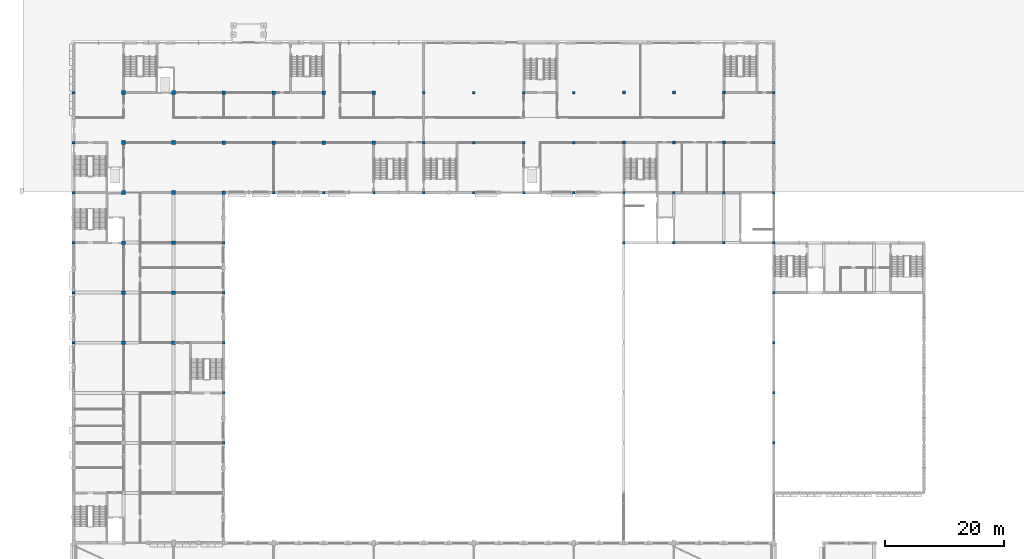
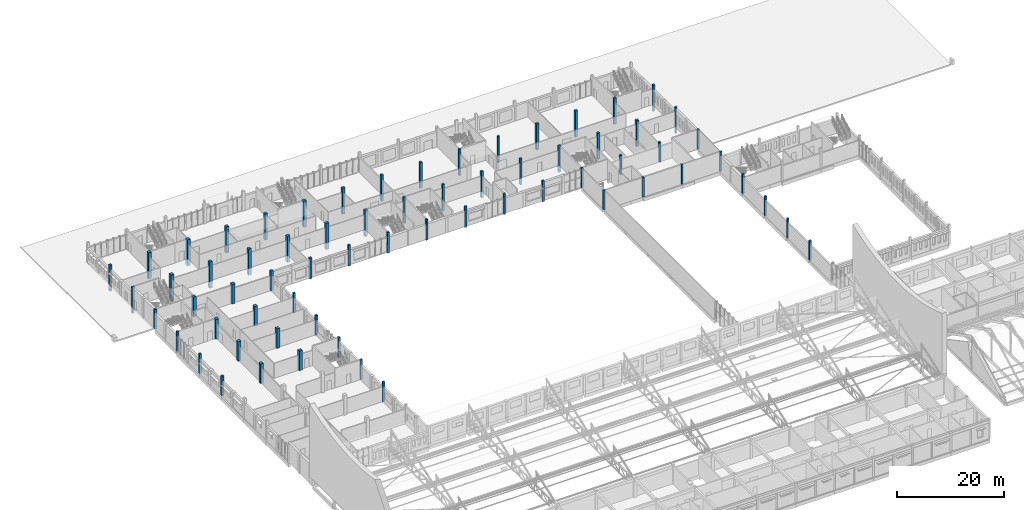
# One storey, part 3 of 101: 67 columns.
"""IFC4 building model written with IfcOpenShell, lengths in metres."""

from ifc_helpers import new_model, si_unit, direction, frame, origin, origin_2d, place, context, subcontext, project, spatial, rectangle, extrude, material, material_profile, profile_set, type_object, element, save


model = new_model("IFC4")

# Units and contexts
model_context = context("Model", 3, precision=1e-05, world=origin(), true_north=direction((0.0, 1.0)))
body_context = subcontext(model_context, "Body", "Model", "MODEL_VIEW")
ifc_project = project(units=[si_unit("LENGTHUNIT", "METRE"), si_unit("AREAUNIT", "SQUARE_METRE"), si_unit("VOLUMEUNIT", "CUBIC_METRE"), si_unit("PLANEANGLEUNIT", "RADIAN"), si_unit("MASSUNIT", "GRAM", prefix="KILO")], contexts=[model_context])

# Site, building, storey
site_placement = place(None, origin())
site = spatial("IfcSite", under=ifc_project, at=site_placement, CompositionType="ELEMENT")
building_placement = place(site_placement, origin())
building = spatial("IfcBuilding", under=site, at=building_placement, Name="Fescue Hill Polytechnic", CompositionType="ELEMENT")
storey_placement = place(building_placement, frame((0.0, 0.0, 9.0)))
storey = spatial("IfcBuildingStorey", under=building, at=storey_placement, Name="L02", CompositionType="ELEMENT", Elevation=9.0)

# Columns
ifc_material = material(Name="Concrete 40 MPa", Category="concrete")
ifc_material_profile_1 = material_profile(ifc_material, rectangle(XDim=0.39990234375, YDim=0.39990234375, at=origin_2d()), Name="RC 400x400")
ifc_profile_set_1 = profile_set([ifc_material_profile_1], Name="Concrete 40 MPa")
column_type_1 = type_object("IfcColumnType", Name="Column RC 400x400", PredefinedType="COLUMN", material=ifc_profile_set_1)
for number, where, z_axis, x_axis, name in (
    (1, (117.60009765625, 92.39990234375, 0.0), (0.0, 0.0, 1.0), (1.0, 0.0, 0.0), "COL-L02-V2-001"),
    (2, (117.60009765625, 100.800048828125, 0.0), (0.0, 0.0, 1.0), (1.0, 0.0, 0.0), "COL-L02-V2-002"),
):
    element("IfcColumn", number, at=place(storey_placement, frame(where, z_axis=z_axis, x_axis=x_axis)), inside=storey, type_object=column_type_1, Name=name, PredefinedType="COLUMN", context=body_context, shape_type="SweptSolid", body=[
        extrude(rectangle(XDim=0.39990234375, YDim=0.39990234375, at=origin_2d()), origin(), (0.0, 0.0, 1.0), 4.5),
    ])
for number, where, z_axis, x_axis, name in (
    (3, (50.39990234375, 109.199951171875, -0.25), (0.0, 0.0, 1.0), (1.0, 0.0, 0.0), "COL-L02-V5-021"),
    (4, (58.800048828125, 109.199951171875, -0.25), (0.0, 0.0, 1.0), (1.0, 0.0, 0.0), "COL-L02-V5-025"),
    (5, (67.199951171875, 109.199951171875, -0.25), (0.0, 0.0, 1.0), (1.0, 0.0, 0.0), "COL-L02-V4b-001"),
    (6, (75.60009765625, 109.199951171875, -0.25), (0.0, 0.0, 1.0), (1.0, 0.0, 0.0), "COL-L02-V4b-005"),
    (7, (84.0, 109.199951171875, -0.25), (0.0, 0.0, 1.0), (1.0, 0.0, 0.0), "COL-L02-V4b-009"),
):
    element("IfcColumn", number, at=place(storey_placement, frame(where, z_axis=z_axis, x_axis=x_axis)), inside=storey, type_object=column_type_1, Name=name, PredefinedType="COLUMN", context=body_context, shape_type="SweptSolid", body=[
        extrude(rectangle(XDim=0.39990234375, YDim=0.39990234375, at=origin_2d()), origin(), (0.0, 0.0, 1.0), 4.75),
    ])
for number, where, z_axis, x_axis, name in (
    (8, (84.0, 117.60009765625, -1.5), (0.0, 0.0, 1.0), (1.0, 0.0, 0.0), "COL-L02-V4b-010"),
    (9, (84.0, 126.0, -1.5), (0.0, 0.0, 1.0), (1.0, 0.0, 0.0), "COL-L02-V4b-011"),
):
    element("IfcColumn", number, at=place(storey_placement, frame(where, z_axis=z_axis, x_axis=x_axis)), inside=storey, type_object=column_type_1, Name=name, PredefinedType="COLUMN", context=body_context, shape_type="SweptSolid", body=[
        extrude(rectangle(XDim=0.39990234375, YDim=0.39990234375, at=origin_2d()), origin(), (0.0, 0.0, 1.0), 6.0),
    ])
for number, where, z_axis, x_axis, name in (
    (10, (92.39990234375, 109.199951171875, 0.0), (0.0, 0.0, 1.0), (1.0, 0.0, 0.0), "COL-L02-V4b-013"),
    (11, (100.800048828125, 109.199951171875, 0.0), (0.0, 0.0, 1.0), (1.0, 0.0, 0.0), "COL-L02-V4b-017"),
    (12, (109.199951171875, 109.199951171875, 0.0), (0.0, 0.0, 1.0), (1.0, 0.0, 0.0), "COL-L02-V4b-021"),
    (13, (117.60009765625, 109.199951171875, 0.0), (0.0, 0.0, 1.0), (1.0, 0.0, 0.0), "COL-L02-V4b-025"),
):
    element("IfcColumn", number, at=place(storey_placement, frame(where, z_axis=z_axis, x_axis=x_axis)), inside=storey, type_object=column_type_1, Name=name, PredefinedType="COLUMN", context=body_context, shape_type="SweptSolid", body=[
        extrude(rectangle(XDim=0.39990234375, YDim=0.39990234375, at=origin_2d()), origin(), (0.0, 0.0, 1.0), 4.5),
    ])
for number, where, z_axis, x_axis, name in (
    (14, (117.60009765625, 117.60009765625, -1.5), (0.0, 0.0, 1.0), (1.0, 0.0, 0.0), "COL-L02-V4b-026"),
    (15, (117.60009765625, 126.0, -1.5), (0.0, 0.0, 1.0), (1.0, 0.0, 0.0), "COL-L02-V4b-027"),
):
    element("IfcColumn", number, at=place(storey_placement, frame(where, z_axis=z_axis, x_axis=x_axis)), inside=storey, type_object=column_type_1, Name=name, PredefinedType="COLUMN", context=body_context, shape_type="SweptSolid", body=[
        extrude(rectangle(XDim=0.39990234375, YDim=0.39990234375, at=origin_2d()), origin(), (0.0, 0.0, 1.0), 6.0),
    ])
for number, where, z_axis, x_axis, name in (
    (16, (92.39990234375, 100.800048828125, 0.0), (0.0, 0.0, 1.0), (1.0, 0.0, 0.0), "COL-L02-V6-001"),
    (17, (100.800048828125, 100.800048828125, 0.0), (0.0, 0.0, 1.0), (1.0, 0.0, 0.0), "COL-L02-V6-002"),
    (18, (109.199951171875, 100.800048828125, 0.0), (0.0, 0.0, 1.0), (1.0, 0.0, 0.0), "COL-L02-V6-003"),
    (19, (117.60009765625, 67.199951171875, 0.0), (0.0, 0.0, 1.0), (1.0, 0.0, 0.0), "COL-L02-V2-016"),
    (20, (117.60009765625, 75.60009765625, 0.0), (0.0, 0.0, 1.0), (1.0, 0.0, 0.0), "COL-L02-V2-017"),
    (21, (117.60009765625, 84.0, 0.0), (0.0, 0.0, 1.0), (1.0, 0.0, 0.0), "COL-L02-V2-018"),
):
    element("IfcColumn", number, at=place(storey_placement, frame(where, z_axis=z_axis, x_axis=x_axis)), inside=storey, type_object=column_type_1, Name=name, PredefinedType="COLUMN", context=body_context, shape_type="SweptSolid", body=[
        extrude(rectangle(XDim=0.39990234375, YDim=0.39990234375, at=origin_2d()), origin(), (0.0, 0.0, 1.0), 4.5),
    ])
ifc_material_profile_2 = material_profile(ifc_material, rectangle(XDim=0.449951171875, YDim=0.449951171875, at=origin_2d()), Name="RC 450x450")
ifc_profile_set_2 = profile_set([ifc_material_profile_2], Name="Concrete 40 MPa")
column_type_2 = type_object("IfcColumnType", Name="Column RC 450x450", PredefinedType="COLUMN", material=ifc_profile_set_2)
for number, where, z_axis, x_axis, name in (
    (22, (0.0, 84.0, 0.0), (0.0, 0.0, 1.0), (1.0, 0.0, 0.0), "COL-L02-V4-004"),
    (23, (0.0, 92.39990234375, 0.0), (0.0, 0.0, 1.0), (1.0, 0.0, 0.0), "COL-L02-V4-005"),
    (24, (0.0, 100.800048828125, 0.0), (0.0, 0.0, 1.0), (1.0, 0.0, 0.0), "COL-L02-V4-006"),
    (25, (0.0, 109.199951171875, 0.0), (0.0, 0.0, 1.0), (1.0, 0.0, 0.0), "COL-L02-V4-007"),
    (26, (25.199951171875, 67.199951171875, 0.0), (0.0, 0.0, 1.0), (1.0, 0.0, 0.0), "COL-L02-V4-023"),
    (27, (25.199951171875, 75.60009765625, 0.0), (0.0, 0.0, 1.0), (1.0, 0.0, 0.0), "COL-L02-V4-024"),
    (28, (25.199951171875, 84.0, 0.0), (0.0, 0.0, 1.0), (1.0, 0.0, 0.0), "COL-L02-V4-025"),
    (29, (25.199951171875, 92.39990234375, 0.0), (0.0, 0.0, 1.0), (1.0, 0.0, 0.0), "COL-L02-V4-026"),
    (30, (25.199951171875, 100.800048828125, 0.0), (0.0, 0.0, 1.0), (1.0, 0.0, 0.0), "COL-L02-V4-027"),
):
    element("IfcColumn", number, at=place(storey_placement, frame(where, z_axis=z_axis, x_axis=x_axis)), inside=storey, type_object=column_type_2, Name=name, PredefinedType="COLUMN", context=body_context, shape_type="SweptSolid", body=[
        extrude(rectangle(XDim=0.449951171875, YDim=0.449951171875, at=origin_2d()), origin(), (0.0, 0.0, 1.0), 4.5),
    ])
for number, where, z_axis, x_axis, name in (
    (31, (0.0, 117.60009765625, -1.5), (0.0, 0.0, 1.0), (1.0, 0.0, 0.0), "COL-L02-V5-001"),
    (32, (0.0, 126.0, -1.5), (0.0, 0.0, 1.0), (1.0, 0.0, 0.0), "COL-L02-V5-002"),
):
    element("IfcColumn", number, at=place(storey_placement, frame(where, z_axis=z_axis, x_axis=x_axis)), inside=storey, type_object=column_type_2, Name=name, PredefinedType="COLUMN", context=body_context, shape_type="SweptSolid", body=[
        extrude(rectangle(XDim=0.449951171875, YDim=0.449951171875, at=origin_2d()), origin(), (0.0, 0.0, 1.0), 6.0),
    ])
for number, where, z_axis, x_axis, name in (
    (33, (33.60009765625, 109.199951171875, -0.25), (0.0, 0.0, 1.0), (1.0, 0.0, 0.0), "COL-L02-V5-013"),
    (34, (42.0, 109.199951171875, -0.25), (0.0, 0.0, 1.0), (1.0, 0.0, 0.0), "COL-L02-V5-017"),
):
    element("IfcColumn", number, at=place(storey_placement, frame(where, z_axis=z_axis, x_axis=x_axis)), inside=storey, type_object=column_type_2, Name=name, PredefinedType="COLUMN", context=body_context, shape_type="SweptSolid", body=[
        extrude(rectangle(XDim=0.449951171875, YDim=0.449951171875, at=origin_2d()), origin(), (0.0, 0.0, 1.0), 4.75),
    ])
for number, where, z_axis, x_axis, name in (
    (35, (58.800048828125, 117.60009765625, -1.5), (0.0, 0.0, 1.0), (1.0, 0.0, 0.0), "COL-L02-V5-026"),
    (36, (58.800048828125, 126.0, -1.5), (0.0, 0.0, 1.0), (1.0, 0.0, 0.0), "COL-L02-V5-027"),
    (37, (67.199951171875, 117.60009765625, -1.5), (0.0, 0.0, 1.0), (1.0, 0.0, 0.0), "COL-L02-V4b-002"),
    (38, (67.199951171875, 126.0, -1.5), (0.0, 0.0, 1.0), (1.0, 0.0, 0.0), "COL-L02-V4b-003"),
    (39, (75.60009765625, 117.60009765625, -1.5), (0.0, 0.0, 1.0), (1.0, 0.0, 0.0), "COL-L02-V4b-006"),
    (40, (75.60009765625, 126.0, -1.5), (0.0, 0.0, 1.0), (1.0, 0.0, 0.0), "COL-L02-V4b-007"),
):
    element("IfcColumn", number, at=place(storey_placement, frame(where, z_axis=z_axis, x_axis=x_axis)), inside=storey, type_object=column_type_2, Name=name, PredefinedType="COLUMN", context=body_context, shape_type="SweptSolid", body=[
        extrude(rectangle(XDim=0.449951171875, YDim=0.449951171875, at=origin_2d()), origin(), (0.0, 0.0, 1.0), 6.0),
    ])
ifc_material_profile_3 = material_profile(ifc_material, rectangle(XDim=0.5, YDim=0.5, at=origin_2d()), Name="RC 500x500")
ifc_profile_set_3 = profile_set([ifc_material_profile_3], Name="Concrete 40 MPa")
column_type_3 = type_object("IfcColumnType", Name="Column RC 500x500", PredefinedType="COLUMN", material=ifc_profile_set_3)
for number, where, z_axis, x_axis, name in (
    (41, (92.39990234375, 117.60009765625, -1.5), (0.0, 0.0, 1.0), (1.0, 0.0, 0.0), "COL-L02-V4b-014"),
    (42, (92.39990234375, 126.0, -1.5), (0.0, 0.0, 1.0), (1.0, 0.0, 0.0), "COL-L02-V4b-015"),
    (43, (100.800048828125, 117.60009765625, -1.5), (0.0, 0.0, 1.0), (1.0, 0.0, 0.0), "COL-L02-V4b-018"),
    (44, (100.800048828125, 126.0, -1.5), (0.0, 0.0, 1.0), (1.0, 0.0, 0.0), "COL-L02-V4b-019"),
    (45, (109.199951171875, 117.60009765625, -1.5), (0.0, 0.0, 1.0), (1.0, 0.0, 0.0), "COL-L02-V4b-022"),
    (46, (109.199951171875, 126.0, -1.5), (0.0, 0.0, 1.0), (1.0, 0.0, 0.0), "COL-L02-V4b-023"),
):
    element("IfcColumn", number, at=place(storey_placement, frame(where, z_axis=z_axis, x_axis=x_axis)), inside=storey, type_object=column_type_3, Name=name, PredefinedType="COLUMN", context=body_context, shape_type="SweptSolid", body=[
        extrude(rectangle(XDim=0.5, YDim=0.5, at=origin_2d()), origin(), (0.0, 0.0, 1.0), 6.0),
    ])
ifc_material_profile_4 = material_profile(ifc_material, rectangle(XDim=0.550048828125, YDim=0.550048828125, at=origin_2d()), Name="RC 550x550")
ifc_profile_set_4 = profile_set([ifc_material_profile_4], Name="Concrete 40 MPa")
column_type_4 = type_object("IfcColumnType", Name="Column RC 550x550", PredefinedType="COLUMN", material=ifc_profile_set_4)
column_placement = place(storey_placement, frame((25.199951171875, 109.199951171875, 0.0), z_axis=(0.0, 0.0, 1.0), x_axis=(1.0, 0.0, 0.0)))
element("IfcColumn", 47, at=column_placement, inside=storey, type_object=column_type_4, Name="COL-L02-V4-028", PredefinedType="COLUMN", context=body_context, shape_type="SweptSolid", body=[
    extrude(rectangle(XDim=0.550048828125, YDim=0.550048828125, at=origin_2d()), origin(), (0.0, 0.0, 1.0), 4.5),
])
for number, where, z_axis, x_axis, name in (
    (48, (50.39990234375, 117.60009765625, -1.5), (0.0, 0.0, 1.0), (1.0, 0.0, 0.0), "COL-L02-V5-022"),
    (49, (50.39990234375, 126.0, -1.5), (0.0, 0.0, 1.0), (1.0, 0.0, 0.0), "COL-L02-V5-023"),
):
    element("IfcColumn", number, at=place(storey_placement, frame(where, z_axis=z_axis, x_axis=x_axis)), inside=storey, type_object=column_type_4, Name=name, PredefinedType="COLUMN", context=body_context, shape_type="SweptSolid", body=[
        extrude(rectangle(XDim=0.550048828125, YDim=0.550048828125, at=origin_2d()), origin(), (0.0, 0.0, 1.0), 6.0),
    ])
ifc_material_profile_5 = material_profile(ifc_material, rectangle(XDim=0.60009765625, YDim=0.60009765625, at=origin_2d()), Name="RC 600x600")
ifc_profile_set_5 = profile_set([ifc_material_profile_5], Name="Concrete 40 MPa")
column_type_5 = type_object("IfcColumnType", Name="Column RC 600x600", PredefinedType="COLUMN", material=ifc_profile_set_5)
for number, where, z_axis, x_axis, name in (
    (50, (25.199951171875, 117.60009765625, -1.5), (0.0, 0.0, 1.0), (1.0, 0.0, 0.0), "COL-L02-V5-010"),
    (51, (25.199951171875, 126.0, -1.5), (0.0, 0.0, 1.0), (1.0, 0.0, 0.0), "COL-L02-V5-011"),
    (52, (33.60009765625, 117.60009765625, -1.5), (0.0, 0.0, 1.0), (1.0, 0.0, 0.0), "COL-L02-V5-014"),
    (53, (33.60009765625, 126.0, -1.5), (0.0, 0.0, 1.0), (1.0, 0.0, 0.0), "COL-L02-V5-015"),
    (54, (42.0, 117.60009765625, -1.5), (0.0, 0.0, 1.0), (1.0, 0.0, 0.0), "COL-L02-V5-018"),
    (55, (42.0, 126.0, -1.5), (0.0, 0.0, 1.0), (1.0, 0.0, 0.0), "COL-L02-V5-019"),
):
    element("IfcColumn", number, at=place(storey_placement, frame(where, z_axis=z_axis, x_axis=x_axis)), inside=storey, type_object=column_type_5, Name=name, PredefinedType="COLUMN", context=body_context, shape_type="SweptSolid", body=[
        extrude(rectangle(XDim=0.60009765625, YDim=0.60009765625, at=origin_2d()), origin(), (0.0, 0.0, 1.0), 6.0),
    ])
ifc_material_profile_6 = material_profile(ifc_material, rectangle(XDim=0.64990234375, YDim=0.64990234375, at=origin_2d()), Name="RC 650x650")
ifc_profile_set_6 = profile_set([ifc_material_profile_6], Name="Concrete 40 MPa")
column_type_6 = type_object("IfcColumnType", Name="Column RC 650x650", PredefinedType="COLUMN", material=ifc_profile_set_6)
for number, where, z_axis, x_axis, name in (
    (56, (8.39990234375, 84.0, 0.0), (0.0, 0.0, 1.0), (1.0, 0.0, 0.0), "COL-L02-V4-011"),
    (57, (8.39990234375, 92.39990234375, 0.0), (0.0, 0.0, 1.0), (1.0, 0.0, 0.0), "COL-L02-V4-012"),
    (58, (8.39990234375, 100.800048828125, 0.0), (0.0, 0.0, 1.0), (1.0, 0.0, 0.0), "COL-L02-V4-013"),
    (59, (8.39990234375, 109.199951171875, 0.0), (0.0, 0.0, 1.0), (1.0, 0.0, 0.0), "COL-L02-V4-014"),
    (60, (16.800048828125, 84.0, 0.0), (0.0, 0.0, 1.0), (1.0, 0.0, 0.0), "COL-L02-V4-018"),
    (61, (16.800048828125, 92.39990234375, 0.0), (0.0, 0.0, 1.0), (1.0, 0.0, 0.0), "COL-L02-V4-019"),
    (62, (16.800048828125, 100.800048828125, 0.0), (0.0, 0.0, 1.0), (1.0, 0.0, 0.0), "COL-L02-V4-020"),
    (63, (16.800048828125, 109.199951171875, 0.0), (0.0, 0.0, 1.0), (1.0, 0.0, 0.0), "COL-L02-V4-021"),
):
    element("IfcColumn", number, at=place(storey_placement, frame(where, z_axis=z_axis, x_axis=x_axis)), inside=storey, type_object=column_type_6, Name=name, PredefinedType="COLUMN", context=body_context, shape_type="SweptSolid", body=[
        extrude(rectangle(XDim=0.64990234375, YDim=0.64990234375, at=origin_2d()), origin(), (0.0, 0.0, 1.0), 4.5),
    ])
for number, where, z_axis, x_axis, name in (
    (64, (8.39990234375, 117.60009765625, -1.5), (0.0, 0.0, 1.0), (1.0, 0.0, 0.0), "COL-L02-V5-004"),
    (65, (8.39990234375, 126.0, -1.5), (0.0, 0.0, 1.0), (1.0, 0.0, 0.0), "COL-L02-V5-005"),
    (66, (16.800048828125, 117.60009765625, -1.5), (0.0, 0.0, 1.0), (1.0, 0.0, 0.0), "COL-L02-V5-007"),
    (67, (16.800048828125, 126.0, -1.5), (0.0, 0.0, 1.0), (1.0, 0.0, 0.0), "COL-L02-V5-008"),
):
    element("IfcColumn", number, at=place(storey_placement, frame(where, z_axis=z_axis, x_axis=x_axis)), inside=storey, type_object=column_type_6, Name=name, PredefinedType="COLUMN", context=body_context, shape_type="SweptSolid", body=[
        extrude(rectangle(XDim=0.64990234375, YDim=0.64990234375, at=origin_2d()), origin(), (0.0, 0.0, 1.0), 6.0),
    ])

save(model, "model.ifc")
